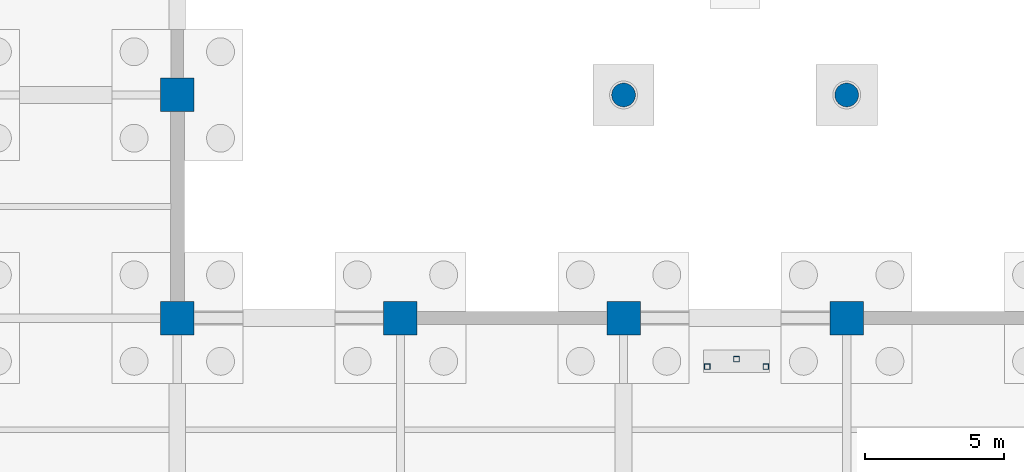
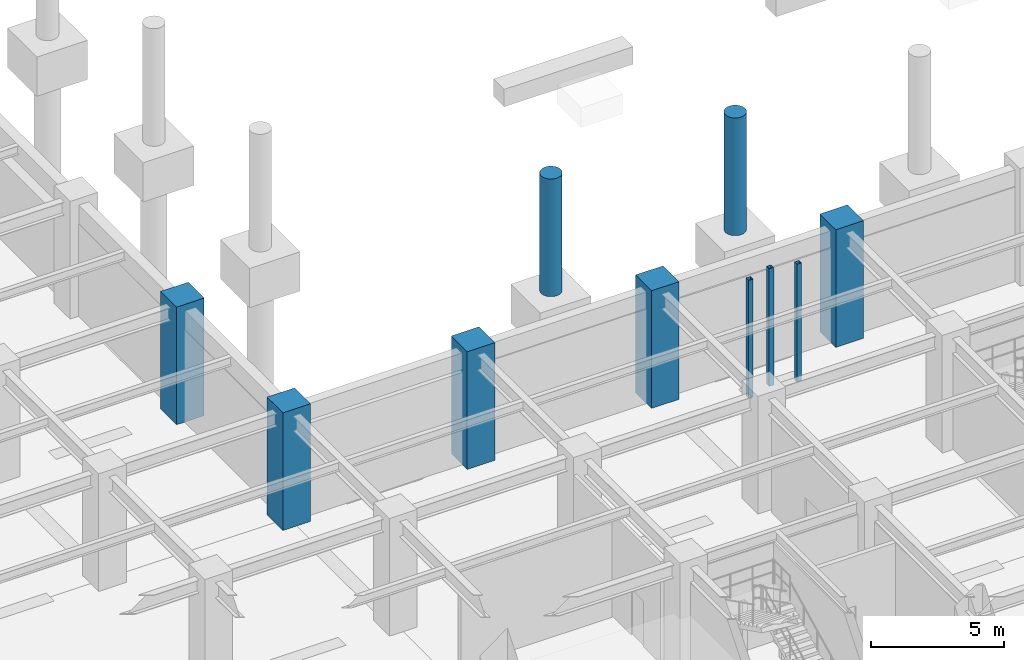
# One storey, part 28 of 97: 10 columns.
"""IFC4 building model written with IfcOpenShell, lengths in metres."""

from ifc_helpers import new_model, si_unit, direction, frame, origin, origin_2d, place, context, subcontext, project, spatial, rectangle, hollow_rectangle, circle, extrude, material, material_profile, profile_set, type_object, element, save


model = new_model("IFC4")

# Units and contexts
model_context = context("Model", 3, precision=1e-05, world=origin(), true_north=direction((0.0, 1.0)))
body_context = subcontext(model_context, "Body", "Model", "MODEL_VIEW")
ifc_project = project(units=[si_unit("LENGTHUNIT", "METRE"), si_unit("AREAUNIT", "SQUARE_METRE"), si_unit("VOLUMEUNIT", "CUBIC_METRE"), si_unit("PLANEANGLEUNIT", "RADIAN"), si_unit("MASSUNIT", "GRAM", prefix="KILO")], contexts=[model_context])

# Site, building, storey
site_placement = place(None, origin())
site = spatial("IfcSite", under=ifc_project, at=site_placement, CompositionType="ELEMENT")
building_placement = place(site_placement, origin())
building = spatial("IfcBuilding", under=site, at=building_placement, Name="Haebicheon Civic Stadium", CompositionType="ELEMENT")
storey_placement = place(building_placement, frame((0.0, 0.0, -5.39990234375)))
storey = spatial("IfcBuildingStorey", under=building, at=storey_placement, Name="B1", CompositionType="ELEMENT", Elevation=-5.39990234375)

# Columns
ifc_material_1 = material(Name="Concrete C40/50", Category="concrete")
ifc_material_profile_1 = material_profile(ifc_material_1, rectangle(XDim=1.199951171875, YDim=1.199951171875, at=origin_2d()), Name="RC-COL-1200x1200")
ifc_profile_set_1 = profile_set([ifc_material_profile_1], Name="Concrete C40/50")
column_type_1 = type_object("IfcColumnType", Name="COL-RC-1200", PredefinedType="COLUMN", material=ifc_profile_set_1)
for number, where, z_axis, x_axis, name in (
    (1, (64.0, 32.0, 0.0), (0.0, 0.0, 1.0), (1.0, 0.0, 0.0), "B1 column 9/E"),
    (2, (64.0, 40.0, 0.0), (0.0, 0.0, 1.0), (1.0, 0.0, 0.0), "B1 column 9/F"),
    (3, (72.0, 32.0, 0.0), (0.0, 0.0, 1.0), (1.0, 0.0, 0.0), "B1 column 10/E"),
    (4, (80.0, 32.0, 0.0), (0.0, 0.0, 1.0), (1.0, 0.0, 0.0), "B1 column 11/E"),
    (5, (88.0, 32.0, 0.0), (0.0, 0.0, 1.0), (1.0, 0.0, 0.0), "B1 column 12/E"),
):
    element("IfcColumn", number, at=place(storey_placement, frame(where, z_axis=z_axis, x_axis=x_axis)), inside=storey, type_object=column_type_1, material=ifc_profile_set_1, Name=name, PredefinedType="COLUMN", context=body_context, shape_type="SweptSolid", body=[
        extrude(rectangle(XDim=1.199951171875, YDim=1.199951171875, at=origin_2d()), origin(), (0.0, 0.0, 1.0), 5.39990234375),
    ])
ifc_material_2 = material(Name="Concrete C40/50", Category="concrete")
ifc_material_profile_2 = material_profile(ifc_material_2, circle(Radius=0.425048828125, at=origin_2d()), Name="RC-COL-D850")
ifc_profile_set_2 = profile_set([ifc_material_profile_2], Name="Concrete C40/50")
column_type_2 = type_object("IfcColumnType", Name="COL-RC-D850", PredefinedType="COLUMN", material=ifc_profile_set_2)
for number, where, z_axis, x_axis, name in (
    (6, (80.0, 40.0, 0.0), (0.0, 0.0, 1.0), (1.0, 0.0, 0.0), "Bowl/canopy support column 80/40 (B1)"),
    (7, (88.0, 40.0, 0.0), (0.0, 0.0, 1.0), (1.0, 0.0, 0.0), "Bowl/canopy support column 88/40 (B1)"),
):
    element("IfcColumn", number, at=place(storey_placement, frame(where, z_axis=z_axis, x_axis=x_axis)), inside=storey, type_object=column_type_2, material=ifc_profile_set_2, Name=name, PredefinedType="COLUMN", context=body_context, shape_type="SweptSolid", body=[
        extrude(circle(Radius=0.425048828125, at=origin_2d()), origin(), (0.0, 0.0, 1.0), 5.39990234375),
    ])
ifc_material_3 = material(Name="Steel SM355 (S355)", Category="steel")
ifc_material_profile_3 = material_profile(ifc_material_3, hollow_rectangle(XDim=0.199951171875, YDim=0.199951171875, WallThickness=0.009033203125, at=origin_2d()), Name="RHS-200x200x9.0")
ifc_profile_set_3 = profile_set([ifc_material_profile_3], Name="Steel SM355 (S355)")
column_type_3 = type_object("IfcColumnType", Name="COL-ST-RHS200", PredefinedType="COLUMN", material=ifc_profile_set_3)
for number, where, z_axis, x_axis, name in (
    (8, (83.0, 30.260009765625, 0.0), (0.0, 0.0, 1.0), (1.0, 0.0, 0.0), "VM-10 B1 vomitory landing support post A"),
    (9, (85.10009765625, 30.260009765625, 0.0), (0.0, 0.0, 1.0), (1.0, 0.0, 0.0), "VM-10 B1 vomitory landing support post B"),
    (10, (84.050048828125, 30.530029296875, 0.0), (0.0, 0.0, 1.0), (1.0, 0.0, 0.0), "VM-10 B1 vomitory landing support post C"),
):
    element("IfcColumn", number, at=place(storey_placement, frame(where, z_axis=z_axis, x_axis=x_axis)), inside=storey, type_object=column_type_3, material=ifc_profile_set_3, Name=name, PredefinedType="COLUMN", context=body_context, shape_type="SweptSolid", body=[
        extrude(hollow_rectangle(XDim=0.199951171875, YDim=0.199951171875, WallThickness=0.009033203125, at=origin_2d()), origin(), (0.0, 0.0, 1.0), 5.39990234375),
    ])

save(model, "model.ifc")
